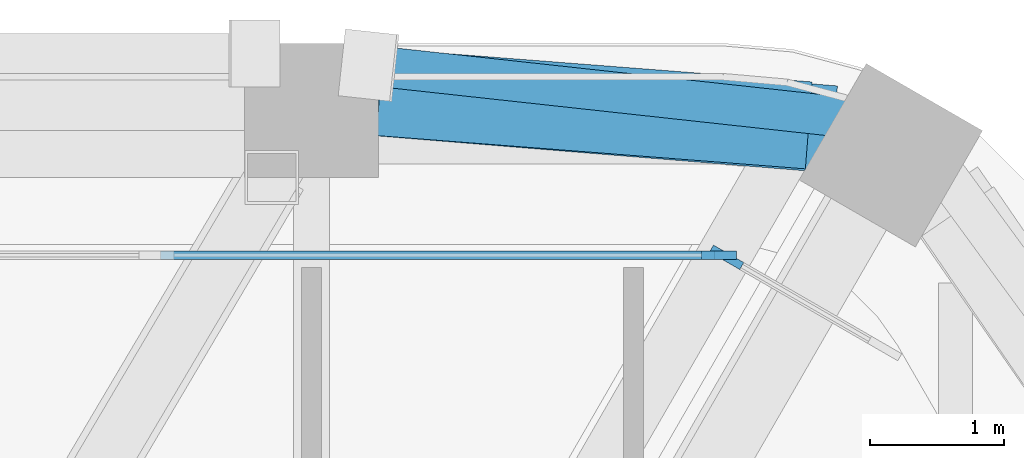
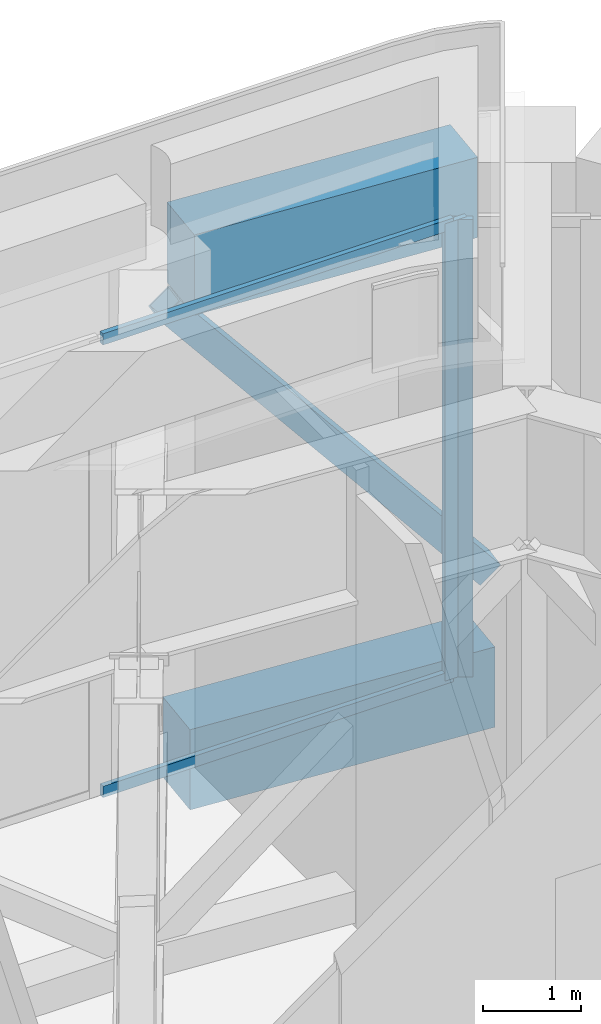
# One storey, part 11 of 24: 5 members, 2 beams, 2 elements without a shape of their own.
"""IFC4 building model written with IfcOpenShell, lengths in metres."""

import ifcopenshell
import ifcopenshell.guid

model = None  # the IFC model being written
_history = None  # IfcOwnerHistory: only IFC2X3 demands one
_inside = {}  # id of a spatial element -> (the spatial element, [elements in it])
_under = {}  # id of a project, library or spatial element -> (it, [spatial elements below it])
_declared = {}  # id of a project -> (the project, [libraries it declares])
_typed = {}  # id of a type object -> (the type object, [elements of that type])
_made_of = {}  # id of a material, layer set ... -> (it, [elements and type objects made of it])


def new_model(schema):
    """Start an empty IFC model of exactly this schema.

    Asked for "IFC4X3", IfcOpenShell would pick the latest addendum, in which some entities
    have other attributes; the version numbers below select the first issue.
    IFC2X3 requires an IfcOwnerHistory on every rooted entity: one is made here for all.
    """
    global model, _history
    if schema == "IFC4X3":
        model = ifcopenshell.file(schema_version=(4, 3, 0, 0))
    else:
        model = ifcopenshell.file(schema=schema)
    _inside.clear()
    _under.clear()
    _declared.clear()
    _typed.clear()
    _made_of.clear()
    _history = None
    if model.schema == "IFC2X3":
        org = make("IfcOrganization", Name="unknown")
        user = make(
            "IfcPersonAndOrganization",
            ThePerson=make("IfcPerson", FamilyName="unknown"),
            TheOrganization=org,
        )
        app = make(
            "IfcApplication",
            ApplicationDeveloper=org,
            Version="unknown",
            ApplicationFullName="unknown",
            ApplicationIdentifier="unknown",
        )
        _history = make(
            "IfcOwnerHistory",
            OwningUser=user,
            OwningApplication=app,
            ChangeAction="ADDED",
            CreationDate=0,
        )
    return model


def make(cls, **values):
    """One entity of the class cls with the attributes given. An attribute that is None is left unset."""
    return model.create_entity(
        cls, **{name: value for name, value in values.items() if value is not None}
    )


def rooted(cls, **values):
    """An entity with a GlobalId (a new one), such as an element, a storey or a relation."""
    return make(cls, GlobalId=ifcopenshell.guid.new(), OwnerHistory=_history, **values)


def si_unit(unit_type, name, prefix=None):
    """IfcSIUnit, for example si_unit("LENGTHUNIT", "METRE", prefix="MILLI")."""
    return make("IfcSIUnit", UnitType=unit_type, Prefix=prefix, Name=name)


def assignment(units):
    """IfcUnitAssignment: the units of a project."""
    return None if units is None else make("IfcUnitAssignment", Units=units)


def point(xyz):
    """IfcCartesianPoint."""
    return None if xyz is None else make("IfcCartesianPoint", Coordinates=xyz)


def direction(xyz):
    """IfcDirection."""
    return None if xyz is None else make("IfcDirection", DirectionRatios=xyz)


def frame(location, z_axis=None, x_axis=None):
    """IfcAxis2Placement3D, a coordinate frame: its origin and axes. An axis left out is left unset."""
    return make(
        "IfcAxis2Placement3D",
        Location=point(location),
        Axis=direction(z_axis),
        RefDirection=direction(x_axis),
    )


def frame_2d(location, x_axis=None):
    """IfcAxis2Placement2D, a coordinate frame in the plane: its origin and x axis."""
    return make(
        "IfcAxis2Placement2D", Location=point(location), RefDirection=direction(x_axis)
    )


def origin():
    """The frame at (0, 0, 0) with its axes left unset."""
    return frame((0.0, 0.0, 0.0))


def origin_2d():
    """The frame at (0, 0) in the plane with its x axis left unset."""
    return frame_2d((0.0, 0.0))


def place(relative_to, where):
    """IfcLocalPlacement: puts the frame where relative to a parent placement (None: the world)."""
    return make(
        "IfcLocalPlacement", PlacementRelTo=relative_to, RelativePlacement=where
    )


def context(
    kind, dimensions, precision=None, world=None, true_north=None, identifier=None
):
    """IfcGeometricRepresentationContext, for example the 3D "Model" context."""
    return make(
        "IfcGeometricRepresentationContext",
        ContextIdentifier=identifier,
        ContextType=kind,
        CoordinateSpaceDimension=dimensions,
        Precision=precision,
        WorldCoordinateSystem=world,
        TrueNorth=true_north,
    )


def subcontext(parent, identifier, kind, view, scale=None):
    """IfcGeometricRepresentationSubContext, for example "Body" below "Model"."""
    return make(
        "IfcGeometricRepresentationSubContext",
        ContextIdentifier=identifier,
        ContextType=kind,
        ParentContext=parent,
        TargetScale=scale,
        TargetView=view,
    )


def project(units=None, contexts=None):
    """IfcProject with its units and contexts."""
    return rooted(
        "IfcProject",
        Name="project",
        RepresentationContexts=contexts,
        UnitsInContext=assignment(units),
    )


def spatial(cls, under=None, at=None, **own):
    """A site, building, storey or space (cls), placed at a placement, below another one or the project."""
    s = rooted(cls, ObjectPlacement=at, **own)
    if under is not None:
        _under.setdefault(under.id(), (under, []))[1].append(s)
    return s


def profile(cls, at=None, kind="AREA", **sizes):
    """A parametric profile (cls). Its sizes go by their IFC names, for example OverallWidth=200.0."""
    return make(cls, ProfileType=kind, Position=at, **sizes)


def rectangle(**sizes):
    """IfcRectangleProfileDef."""
    return profile("IfcRectangleProfileDef", **sizes)


def hollow_rectangle(**sizes):
    """IfcRectangleHollowProfileDef."""
    return profile("IfcRectangleHollowProfileDef", **sizes)


def extrude(swept, where, along, depth):
    """IfcExtrudedAreaSolid: the profile swept, set in the frame where, extruded along a direction by depth."""
    return make(
        "IfcExtrudedAreaSolid",
        SweptArea=swept,
        Position=where,
        ExtrudedDirection=direction(along),
        Depth=depth,
    )


def shape(context_of_items, identifier, shape_type, items):
    """IfcShapeRepresentation: the items that make up one representation, for example the "Body"."""
    return make(
        "IfcShapeRepresentation",
        ContextOfItems=context_of_items,
        RepresentationIdentifier=identifier,
        RepresentationType=shape_type,
        Items=items,
    )


def material(Name=None, Category=None):
    """IfcMaterial."""
    return make("IfcMaterial", Name=Name, Category=Category)


def material_profile(
    of_material, cross_section, Name=None, Category=None, Priority=None
):
    """IfcMaterialProfile: a cross section and its material."""
    return make(
        "IfcMaterialProfile",
        Name=Name,
        Material=of_material,
        Profile=cross_section,
        Priority=Priority,
        Category=Category,
    )


def profile_set(profiles, Name=None, composite=None):
    """IfcMaterialProfileSet."""
    return make(
        "IfcMaterialProfileSet",
        Name=Name,
        MaterialProfiles=profiles,
        CompositeProfile=composite,
    )


def made_of(thing, what):
    """Note that an element or type object is made of a material, layer set ...; save() writes the relation."""
    if what is not None:
        _made_of.setdefault(what.id(), (what, []))[1].append(thing)
    return thing


def type_object(cls, material=None, **own):
    """A type object (cls), such as IfcWallType, which elements share."""
    return made_of(rooted(cls, **own), material)


def element(
    cls,
    number,
    at=None,
    inside=None,
    cuts=None,
    type_object=None,
    material=None,
    context=None,
    identifier="Body",
    shape_type=None,
    held_by="IfcProductDefinitionShape",
    body=None,
    shapes=None,
    **own,
):
    """One element of the class cls, such as IfcWall. Its Tag is "e" and its number.

    at: its placement. inside: the storey or other place that contains it. cuts: it is an
    opening in that element (IfcRelVoidsElement). A single representation is given by context,
    identifier, shape_type and body (its items); several are given by shapes. held_by: the class
    of the entity that holds the representations. save() writes the other relations.
    """
    e = rooted(cls, Tag="e%d" % number, ObjectPlacement=at, **own)
    if body is not None:
        shapes = [shape(context, identifier, shape_type, body)]
    if shapes is not None:
        e.Representation = make(held_by, Representations=shapes)
    if inside is not None:
        _inside.setdefault(inside.id(), (inside, []))[1].append(e)
    if cuts is not None:
        rooted(
            "IfcRelVoidsElement", RelatingBuildingElement=cuts, RelatedOpeningElement=e
        )
    if type_object is not None:
        _typed.setdefault(type_object.id(), (type_object, []))[1].append(e)
    return made_of(e, material)


def aggregate(whole, parts):
    """IfcRelAggregates: a whole, such as a stair, and the parts it consists of."""
    return rooted("IfcRelAggregates", RelatingObject=whole, RelatedObjects=parts)


def save(model, path):
    """Write the relations noted so far, then the file.

    IfcRelAggregates (storeys below a building ...), IfcRelContainedInSpatialStructure (elements
    in a storey), IfcRelDefinesByType, IfcRelAssociatesMaterial and IfcRelDeclares: one each for
    every whole, place, type object, material and project.
    """
    for whole, parts in _under.values():
        aggregate(whole, parts)
    for where, things in _inside.values():
        rooted(
            "IfcRelContainedInSpatialStructure",
            RelatedElements=things,
            RelatingStructure=where,
        )
    for kind, things in _typed.values():
        rooted("IfcRelDefinesByType", RelatedObjects=things, RelatingType=kind)
    for what, things in _made_of.values():
        rooted("IfcRelAssociatesMaterial", RelatedObjects=things, RelatingMaterial=what)
    for by, libraries in _declared.values():
        rooted("IfcRelDeclares", RelatingContext=by, RelatedDefinitions=libraries)
    model.write(path)


model = new_model("IFC4")

# Units and contexts
model_context = context("Model", 3, precision=1e-05, world=origin(), true_north=direction((0.0, 1.0)))
body_context = subcontext(model_context, "Body", "Model", "MODEL_VIEW")
ifc_project = project(units=[si_unit("LENGTHUNIT", "METRE"), si_unit("AREAUNIT", "SQUARE_METRE"), si_unit("VOLUMEUNIT", "CUBIC_METRE"), si_unit("PLANEANGLEUNIT", "RADIAN"), si_unit("MASSUNIT", "GRAM", prefix="KILO")], contexts=[model_context])

# Site, building, storey
site_placement = place(None, origin())
site = spatial("IfcSite", under=ifc_project, at=site_placement, CompositionType="ELEMENT")
building_placement = place(site_placement, origin())
building = spatial("IfcBuilding", under=site, at=building_placement, Name="Kolab Exchange Tower", CompositionType="ELEMENT")
storey_placement = place(building_placement, frame((0.0, 0.0, 216.800048828125)))
storey = spatial("IfcBuildingStorey", under=building, at=storey_placement, Name="L47", CompositionType="ELEMENT", Elevation=216.800048828125)

# Member
ifc_material_1 = material(Name="Steel S355", Category="steel")
ifc_material_profile_1 = material_profile(ifc_material_1, hollow_rectangle(XDim=0.300048828125, YDim=0.300048828125, WallThickness=0.01611328125, at=origin_2d()), Name="HSS300X300X16")
ifc_profile_set_1 = profile_set([ifc_material_profile_1], Name="Steel S355")
member_type_1 = type_object("IfcMemberType", Name="BELT TRUSS BRACE HSS300X300X16", PredefinedType="BRACE", material=ifc_profile_set_1)
member_1_placement = place(storey_placement, frame((10.033447265625, 24.776611328125, 4.699951171875), z_axis=(0.635039153675, -0.069365949652, -0.769359238801), x_axis=(0.108585115076, 0.994087155527, 0.0)))
element("IfcMember", 1, at=member_1_placement, inside=storey, type_object=member_type_1, Name="mem/L47/fb/F1-06", PredefinedType="BRACE", context=body_context, shape_type="SweptSolid", body=[
    extrude(hollow_rectangle(XDim=0.300048828125, YDim=0.300048828125, WallThickness=0.01611328125, at=origin_2d()), origin(), (0.0, 0.0, 1.0), 5.589111328125),
])

# Beams
ifc_material_2 = material(Name="Concrete C60/75", Category="concrete")
ifc_material_profile_2 = material_profile(ifc_material_2, rectangle(XDim=0.64990234375, YDim=1.0, at=origin_2d()), Name="RC650X1000")
ifc_profile_set_2 = profile_set([ifc_material_profile_2], Name="Concrete C60/75")
beam_type = type_object("IfcBeamType", Name="SPANDREL BEAM 650X1000 C60/75", PredefinedType="BEAM", material=ifc_profile_set_2)
beam_1_placement = place(storey_placement, frame((10.06005859375, 24.5791015625, -0.800048828125), z_axis=(0.996708497182, -0.081068931445, 0.0), x_axis=(0.081068931445, 0.996708497182, 0.0)))
element("IfcBeam", 2, at=beam_1_placement, inside=storey, type_object=beam_type, Name="beam/L47/sp/F1-06", PredefinedType="BEAM", context=body_context, shape_type="SweptSolid", body=[
    extrude(rectangle(XDim=0.64990234375, YDim=1.0, at=origin_2d()), origin(), (0.0, 0.0, 1.0), 3.445068359375),
])
beam_2_placement = place(storey_placement, frame((10.109130859375, 24.57763671875, 5.349853515625), z_axis=(0.99700411578, -0.077348517229, 0.0), x_axis=(0.077348517229, 0.99700411578, 0.0)))
element("IfcBeam", 3, at=beam_2_placement, inside=storey, type_object=beam_type, Name="beam/L47/cp/F1-06", PredefinedType="BEAM", context=body_context, shape_type="SweptSolid", body=[
    extrude(rectangle(XDim=0.64990234375, YDim=1.0, at=origin_2d()), origin(), (0.0, 0.0, 1.0), 3.206787109375),
])

# Curtain wall, member
ifc_material_3 = material(Name="Aluminium EN AW-6063 T6", Category="aluminium")
curtain_wall_type = type_object("IfcCurtainWallType", Name="UNITISED UPPER MID ZONE DOUBLE HEIGHT BELT CURTAIN WALL", PredefinedType="NOTDEFINED", material=ifc_material_3)
curtain_wall_1_placement = place(storey_placement, origin())
curtain_wall_1 = element("IfcCurtainWall", 4, at=curtain_wall_1_placement, inside=storey, type_object=curtain_wall_type, Name="cw/L47/F1-2", PredefinedType="NOTDEFINED")
ifc_material_profile_3 = material_profile(ifc_material_3, rectangle(XDim=0.06005859375, YDim=0.260009765625, at=origin_2d()), Name="RECT 60X260")
ifc_profile_set_3 = profile_set([ifc_material_profile_3], Name="Aluminium EN AW-6063 T6")
member_type_2 = type_object("IfcMemberType", Name="UNITISED UPPER MID ZONE DOUBLE HEIGHT BELT MULLION 60 X 260", PredefinedType="MULLION", material=ifc_profile_set_3)
member_2_placement = place(storey_placement, frame((12.637939453125, 23.361572265625, 0.0), z_axis=(0.0, 0.0, 1.0), x_axis=(0.0, 1.0, 0.0)))
member_2 = element("IfcMember", 5, at=member_2_placement, type_object=member_type_2, Name="CW11 mullion 4", PredefinedType="MULLION", context=body_context, shape_type="SweptSolid", body=[
    extrude(rectangle(XDim=0.06005859375, YDim=0.260009765625, at=origin_2d()), origin(), (0.0, 0.0, 1.0), 5.699951171875),
])

curtain_wall_2_placement = place(storey_placement, origin())
curtain_wall_2 = element("IfcCurtainWall", 6, at=curtain_wall_2_placement, inside=storey, type_object=curtain_wall_type, Name="cw/L47/F1F2-corner", PredefinedType="NOTDEFINED")
member_3_placement = place(storey_placement, frame((12.69384765625, 23.346435546875, 0.0), z_axis=(0.0, 0.0, 1.0), x_axis=(0.50000002237, 0.866025390869, 0.0)))
member_3 = element("IfcMember", 7, at=member_3_placement, type_object=member_type_2, Name="CW11 mullion 1", PredefinedType="MULLION", context=body_context, shape_type="SweptSolid", body=[
    extrude(rectangle(XDim=0.06005859375, YDim=0.260009765625, at=origin_2d()), origin(), (0.0, 0.0, 1.0), 5.699951171875),
])
aggregate(curtain_wall_2, [member_3])

# Member
ifc_material_profile_4 = material_profile(ifc_material_3, rectangle(XDim=0.06005859375, YDim=0.139892578125, at=origin_2d()), Name="RECT 60X140")
ifc_profile_set_4 = profile_set([ifc_material_profile_4], Name="Aluminium EN AW-6063 T6")
member_type_3 = type_object("IfcMemberType", Name="UNITISED UPPER MID ZONE DOUBLE HEIGHT BELT TRANSOM 60 X 140", PredefinedType="USERDEFINED", material=ifc_profile_set_4)
member_4_placement = place(storey_placement, frame((8.475341796875, 23.361572265625, 0.030029296875), z_axis=(1.0, 0.0, 0.0), x_axis=(0.0, 1.0, 0.0)))
member_4 = element("IfcMember", 8, at=member_4_placement, type_object=member_type_3, Name="CW11 transom 3.1", ObjectType="TRANSOM", PredefinedType="USERDEFINED", context=body_context, shape_type="SweptSolid", body=[
    extrude(rectangle(XDim=0.06005859375, YDim=0.139892578125, at=origin_2d()), origin(), (0.0, 0.0, 1.0), 4.132568359375),
])

member_5_placement = place(storey_placement, frame((8.475341796875, 23.361572265625, 5.669921875), z_axis=(1.0, 0.0, 0.0), x_axis=(0.0, 1.0, 0.0)))
member_5 = element("IfcMember", 9, at=member_5_placement, type_object=member_type_3, Name="CW11 transom 3.2", ObjectType="TRANSOM", PredefinedType="USERDEFINED", context=body_context, shape_type="SweptSolid", body=[
    extrude(rectangle(XDim=0.06005859375, YDim=0.139892578125, at=origin_2d()), origin(), (0.0, 0.0, 1.0), 4.132568359375),
])

aggregate(curtain_wall_1, [member_2, member_4, member_5])

save(model, "model.ifc")
